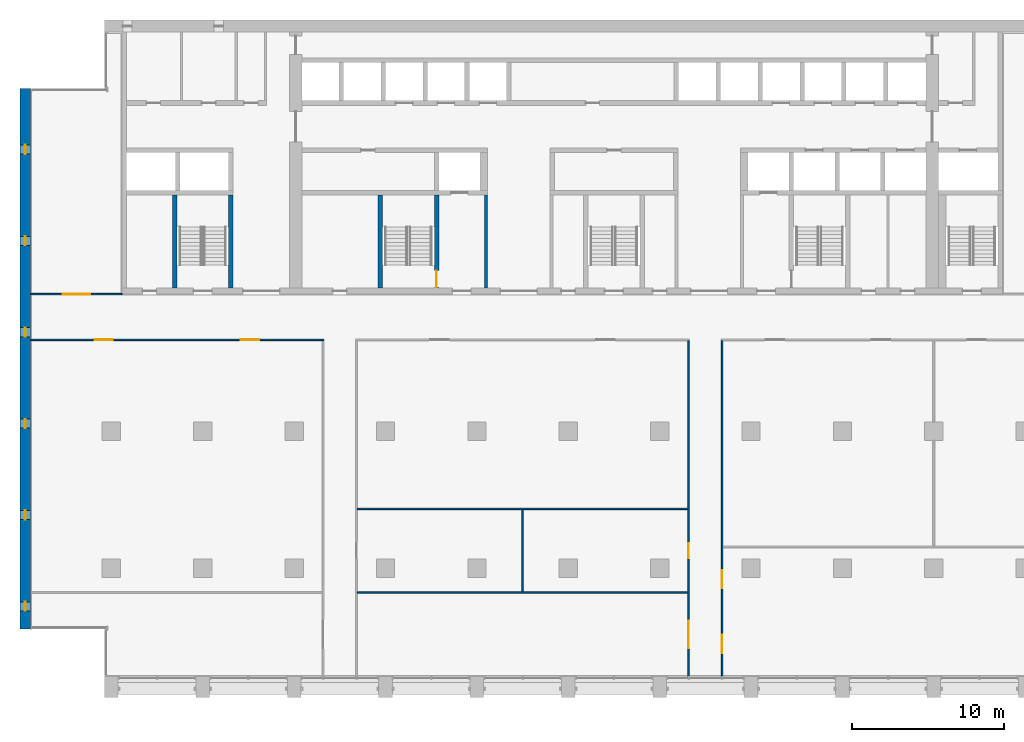
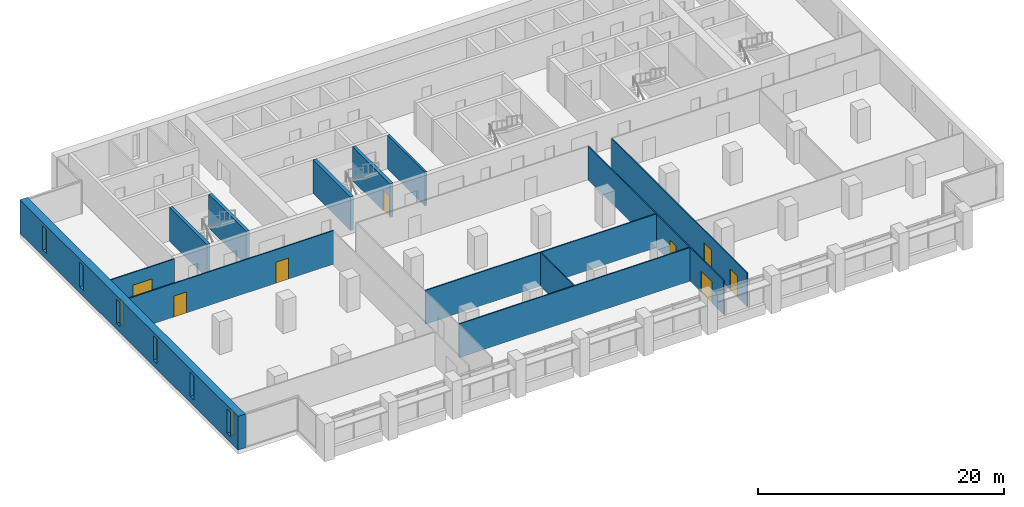
# One storey, part 8 of 15: 13 walls, 8 doors, 6 windows, 14 openings.
"""IFC4 building model written with IfcOpenShell, lengths in metres."""

from ifc_helpers import new_model, si_unit, direction, frame, frame_2d, origin, place, context, subcontext, project, spatial, rectangle, extrude, material, layer, layer_set, type_object, element, fill, save


model = new_model("IFC4")

# Units and contexts
model_context = context("Model", 3, precision=1e-05, world=origin(), true_north=direction((0.0, 1.0)))
body_context = subcontext(model_context, "Body", "Model", "MODEL_VIEW")
ifc_project = project(units=[si_unit("LENGTHUNIT", "METRE"), si_unit("AREAUNIT", "SQUARE_METRE"), si_unit("VOLUMEUNIT", "CUBIC_METRE"), si_unit("PLANEANGLEUNIT", "RADIAN"), si_unit("MASSUNIT", "GRAM", prefix="KILO")], contexts=[model_context])

# Site, building, storey
site_placement = place(None, origin())
site = spatial("IfcSite", under=ifc_project, at=site_placement, CompositionType="ELEMENT")
building_placement = place(site_placement, origin())
building = spatial("IfcBuilding", under=site, at=building_placement, Name="Calvaro Tower", CompositionType="ELEMENT")
storey_placement = place(building_placement, frame((0.0, 0.0, 147.5)))
storey = spatial("IfcBuildingStorey", under=building, at=storey_placement, Name="L37", CompositionType="ELEMENT", Elevation=147.5)

# Walls
ifc_material_1 = material(Name="Blockwork partition", Category="masonry")
ifc_layer_1 = layer(ifc_material_1, 0.199951171875)
ifc_layer_set_1 = layer_set([ifc_layer_1], Name="Blockwork partition")
wall_type_1 = type_object("IfcWallType", Name="Core partition 200 REI 120", PredefinedType="PARTITIONING", material=ifc_layer_set_1)
wall_1_placement = place(storey_placement, frame((30.60009765625, 28.39990234375, 0.0), z_axis=(0.0, 0.0, 1.0), x_axis=(0.0, 1.0, 0.0)))
element("IfcWall", 1, at=wall_1_placement, inside=storey, type_object=wall_type_1, Name="Core partition", PredefinedType="PARTITIONING", context=body_context, shape_type="SweptSolid", body=[
    extrude(rectangle(XDim=6.10009765625, YDim=0.199951171875, at=frame_2d((3.050048828125, 0.0))), origin(), (0.0, 0.0, 1.0), 3.35009765625),
])
ifc_material_2 = material(Name="Concrete C60/75", Category="concrete")
ifc_layer_2 = layer(ifc_material_2, 0.300048828125)
ifc_layer_set_2 = layer_set([ifc_layer_2], Name="Concrete C60/75")
wall_type_2 = type_object("IfcWallType", Name="Core wall C60/75 300", PredefinedType="SHEAR", material=ifc_layer_set_2)
for number, where, z_axis, x_axis, name in (
    (2, (10.14990234375, 28.39990234375, 0.0), (0.0, 0.0, 1.0), (0.0, 1.0, 0.0), "Core wall, stair enclosure"),
    (3, (13.85009765625, 28.39990234375, 0.0), (0.0, 0.0, 1.0), (0.0, 1.0, 0.0), "Core wall, stair enclosure"),
    (4, (23.64990234375, 28.39990234375, 0.0), (0.0, 0.0, 1.0), (0.0, 1.0, 0.0), "Core wall, stair enclosure"),
):
    element("IfcWall", number, at=place(storey_placement, frame(where, z_axis=z_axis, x_axis=x_axis)), inside=storey, type_object=wall_type_2, Name=name, PredefinedType="SHEAR", context=body_context, shape_type="SweptSolid", body=[
        extrude(rectangle(XDim=6.10009765625, YDim=0.300048828125, at=frame_2d((3.050048828125, 0.0))), origin(), (0.0, 0.0, 1.0), 3.35009765625),
    ])

# Wall, opening, door
wall_2_placement = place(storey_placement, frame((27.35009765625, 28.39990234375, 0.0), z_axis=(0.0, 0.0, 1.0), x_axis=(0.0, 1.0, 0.0)))
wall_2 = element("IfcWall", 5, at=wall_2_placement, inside=storey, type_object=wall_type_2, Name="Core wall, stair enclosure", PredefinedType="SHEAR", context=body_context, shape_type="SweptSolid", body=[
    extrude(rectangle(XDim=6.10009765625, YDim=0.300048828125, at=frame_2d((3.050048828125, 0.0))), origin(), (0.0, 0.0, 1.0), 3.35009765625),
])
opening_1_placement = place(wall_2_placement, frame((0.050048828125, 0.0, 0.0)))
opening_1 = element("IfcOpeningElement", 6, at=opening_1_placement, cuts=wall_2, Name="Opening FD11D", PredefinedType="OPENING", context=body_context, shape_type="SweptSolid", body=[
    extrude(rectangle(XDim=1.10009765625, YDim=2.10009765625, at=frame_2d((0.550048828125, 1.050048828125))), frame((0.0, 0.159912109375, 0.0), z_axis=(0.0, -1.0, 0.0), x_axis=(1.0, 0.0, 0.0)), (0.0, 0.0, 1.0), 0.320068359375),
])
ifc_material_3 = material(Name="Steel door set", Category="steel")
door_type_1 = type_object("IfcDoorType", Name="Fire door 1100 FD30S", OperationType="SINGLE_SWING_LEFT", PredefinedType="DOOR", material=ifc_material_3)
door_1_placement = place(opening_1_placement, origin())
door_1 = element("IfcDoor", 7, at=door_1_placement, inside=storey, type_object=door_type_1, Name="Fire door", OperationType="SINGLE_SWING_LEFT", OverallHeight=2.10009765625, OverallWidth=1.10009765625, PredefinedType="DOOR", context=body_context, shape_type="SweptSolid", body=[
    extrude(rectangle(XDim=1.10009765625, YDim=2.10009765625, at=frame_2d((0.550048828125, 1.050048828125))), frame((0.0, 0.02490234375, 0.0), z_axis=(0.0, -1.0, 0.0), x_axis=(1.0, 0.0, 0.0)), (0.0, 0.0, 1.0), 0.050048828125),
])
fill(opening_1, door_1)

# Wall, openings, windows
ifc_material_4 = material(Name="Concrete C60/75", Category="concrete")
ifc_layer_3 = layer(ifc_material_4, 0.699951171875)
ifc_layer_set_3 = layer_set([ifc_layer_3], Name="Concrete C60/75")
wall_type_3 = type_object("IfcWallType", Name="End wall 700 C60/75", PredefinedType="SHEAR", material=ifc_layer_set_3)
wall_3_placement = place(storey_placement, frame((0.35009765625, 6.0, 0.0), z_axis=(0.0, 0.0, 1.0), x_axis=(0.0, 1.0, 0.0)))
wall_3 = element("IfcWall", 8, at=wall_3_placement, inside=storey, type_object=wall_type_3, Name="End shear wall", PredefinedType="SHEAR", context=body_context, shape_type="SweptSolid", body=[
    extrude(rectangle(XDim=35.5, YDim=0.699951171875, at=frame_2d((17.75, 0.0))), origin(), (0.0, 0.0, 1.0), 3.35009765625),
])
opening_2_placement = place(wall_3_placement, frame((1.199951171875, 0.0, 0.60009765625)))
opening_2 = element("IfcOpeningElement", 9, at=opening_2_placement, cuts=wall_3, Name="Opening WW01", PredefinedType="OPENING", context=body_context, shape_type="SweptSolid", body=[
    extrude(rectangle(XDim=0.60009765625, YDim=2.39990234375, at=frame_2d((0.300048828125, 1.199951171875))), frame((0.0, 0.35986328125, 0.0), z_axis=(0.0, -1.0, 0.0), x_axis=(1.0, 0.0, 0.0)), (0.0, 0.0, 1.0), 0.719970703125),
])
opening_3_placement = place(wall_3_placement, frame((7.199951171875, 0.0, 0.60009765625)))
opening_3 = element("IfcOpeningElement", 10, at=opening_3_placement, cuts=wall_3, Name="Opening WW02", PredefinedType="OPENING", context=body_context, shape_type="SweptSolid", body=[
    extrude(rectangle(XDim=0.60009765625, YDim=2.39990234375, at=frame_2d((0.300048828125, 1.199951171875))), frame((0.0, 0.35986328125, 0.0), z_axis=(0.0, -1.0, 0.0), x_axis=(1.0, 0.0, 0.0)), (0.0, 0.0, 1.0), 0.719970703125),
])
opening_4_placement = place(wall_3_placement, frame((13.199951171875, 0.0, 0.60009765625)))
opening_4 = element("IfcOpeningElement", 11, at=opening_4_placement, cuts=wall_3, Name="Opening WW03", PredefinedType="OPENING", context=body_context, shape_type="SweptSolid", body=[
    extrude(rectangle(XDim=0.60009765625, YDim=2.39990234375, at=frame_2d((0.300048828125, 1.199951171875))), frame((0.0, 0.35986328125, 0.0), z_axis=(0.0, -1.0, 0.0), x_axis=(1.0, 0.0, 0.0)), (0.0, 0.0, 1.0), 0.719970703125),
])
opening_5_placement = place(wall_3_placement, frame((19.199951171875, 0.0, 0.60009765625)))
opening_5 = element("IfcOpeningElement", 12, at=opening_5_placement, cuts=wall_3, Name="Opening WW04", PredefinedType="OPENING", context=body_context, shape_type="SweptSolid", body=[
    extrude(rectangle(XDim=0.60009765625, YDim=2.39990234375, at=frame_2d((0.300048828125, 1.199951171875))), frame((0.0, 0.35986328125, 0.0), z_axis=(0.0, -1.0, 0.0), x_axis=(1.0, 0.0, 0.0)), (0.0, 0.0, 1.0), 0.719970703125),
])
opening_6_placement = place(wall_3_placement, frame((25.199951171875, 0.0, 0.60009765625)))
opening_6 = element("IfcOpeningElement", 13, at=opening_6_placement, cuts=wall_3, Name="Opening WW05", PredefinedType="OPENING", context=body_context, shape_type="SweptSolid", body=[
    extrude(rectangle(XDim=0.60009765625, YDim=2.39990234375, at=frame_2d((0.300048828125, 1.199951171875))), frame((0.0, 0.35986328125, 0.0), z_axis=(0.0, -1.0, 0.0), x_axis=(1.0, 0.0, 0.0)), (0.0, 0.0, 1.0), 0.719970703125),
])
opening_7_placement = place(wall_3_placement, frame((31.199951171875, 0.0, 0.60009765625)))
opening_7 = element("IfcOpeningElement", 14, at=opening_7_placement, cuts=wall_3, Name="Opening WW06", PredefinedType="OPENING", context=body_context, shape_type="SweptSolid", body=[
    extrude(rectangle(XDim=0.60009765625, YDim=2.39990234375, at=frame_2d((0.300048828125, 1.199951171875))), frame((0.0, 0.35986328125, 0.0), z_axis=(0.0, -1.0, 0.0), x_axis=(1.0, 0.0, 0.0)), (0.0, 0.0, 1.0), 0.719970703125),
])
ifc_material_5 = material(Name="Glass", Category="glass")
window_type = type_object("IfcWindowType", Name="Slit window 600 x 2400", PartitioningType="SINGLE_PANEL", PredefinedType="WINDOW", material=ifc_material_5)
window_1_placement = place(opening_2_placement, origin())
window_1 = element("IfcWindow", 15, at=window_1_placement, inside=storey, type_object=window_type, Name="Window WW01", OverallHeight=2.39990234375, OverallWidth=0.60009765625, PartitioningType="SINGLE_PANEL", PredefinedType="WINDOW", context=body_context, shape_type="SweptSolid", body=[
    extrude(rectangle(XDim=0.60009765625, YDim=2.39990234375, at=frame_2d((0.300048828125, 1.199951171875))), frame((0.0, 0.030029296875, 0.0), z_axis=(0.0, -1.0, 0.0), x_axis=(1.0, 0.0, 0.0)), (0.0, 0.0, 1.0), 0.06005859375),
])
fill(opening_2, window_1)
window_2_placement = place(opening_3_placement, origin())
window_2 = element("IfcWindow", 16, at=window_2_placement, inside=storey, type_object=window_type, Name="Window WW02", OverallHeight=2.39990234375, OverallWidth=0.60009765625, PartitioningType="SINGLE_PANEL", PredefinedType="WINDOW", context=body_context, shape_type="SweptSolid", body=[
    extrude(rectangle(XDim=0.60009765625, YDim=2.39990234375, at=frame_2d((0.300048828125, 1.199951171875))), frame((0.0, 0.030029296875, 0.0), z_axis=(0.0, -1.0, 0.0), x_axis=(1.0, 0.0, 0.0)), (0.0, 0.0, 1.0), 0.06005859375),
])
fill(opening_3, window_2)
window_3_placement = place(opening_4_placement, origin())
window_3 = element("IfcWindow", 17, at=window_3_placement, inside=storey, type_object=window_type, Name="Window WW03", OverallHeight=2.39990234375, OverallWidth=0.60009765625, PartitioningType="SINGLE_PANEL", PredefinedType="WINDOW", context=body_context, shape_type="SweptSolid", body=[
    extrude(rectangle(XDim=0.60009765625, YDim=2.39990234375, at=frame_2d((0.300048828125, 1.199951171875))), frame((0.0, 0.030029296875, 0.0), z_axis=(0.0, -1.0, 0.0), x_axis=(1.0, 0.0, 0.0)), (0.0, 0.0, 1.0), 0.06005859375),
])
fill(opening_4, window_3)
window_4_placement = place(opening_5_placement, origin())
window_4 = element("IfcWindow", 18, at=window_4_placement, inside=storey, type_object=window_type, Name="Window WW04", OverallHeight=2.39990234375, OverallWidth=0.60009765625, PartitioningType="SINGLE_PANEL", PredefinedType="WINDOW", context=body_context, shape_type="SweptSolid", body=[
    extrude(rectangle(XDim=0.60009765625, YDim=2.39990234375, at=frame_2d((0.300048828125, 1.199951171875))), frame((0.0, 0.030029296875, 0.0), z_axis=(0.0, -1.0, 0.0), x_axis=(1.0, 0.0, 0.0)), (0.0, 0.0, 1.0), 0.06005859375),
])
fill(opening_5, window_4)
window_5_placement = place(opening_6_placement, origin())
window_5 = element("IfcWindow", 19, at=window_5_placement, inside=storey, type_object=window_type, Name="Window WW05", OverallHeight=2.39990234375, OverallWidth=0.60009765625, PartitioningType="SINGLE_PANEL", PredefinedType="WINDOW", context=body_context, shape_type="SweptSolid", body=[
    extrude(rectangle(XDim=0.60009765625, YDim=2.39990234375, at=frame_2d((0.300048828125, 1.199951171875))), frame((0.0, 0.030029296875, 0.0), z_axis=(0.0, -1.0, 0.0), x_axis=(1.0, 0.0, 0.0)), (0.0, 0.0, 1.0), 0.06005859375),
])
fill(opening_6, window_5)
window_6_placement = place(opening_7_placement, origin())
window_6 = element("IfcWindow", 20, at=window_6_placement, inside=storey, type_object=window_type, Name="Window WW06", OverallHeight=2.39990234375, OverallWidth=0.60009765625, PartitioningType="SINGLE_PANEL", PredefinedType="WINDOW", context=body_context, shape_type="SweptSolid", body=[
    extrude(rectangle(XDim=0.60009765625, YDim=2.39990234375, at=frame_2d((0.300048828125, 1.199951171875))), frame((0.0, 0.030029296875, 0.0), z_axis=(0.0, -1.0, 0.0), x_axis=(1.0, 0.0, 0.0)), (0.0, 0.0, 1.0), 0.06005859375),
])
fill(opening_7, window_6)

# Walls
ifc_material_6 = material(Name="Plasterboard on steel studs", Category="steel")
ifc_layer_4 = layer(ifc_material_6, 0.10009765625)
ifc_layer_set_4 = layer_set([ifc_layer_4], Name="Plasterboard on steel studs")
wall_type_4 = type_object("IfcWallType", Name="Partition 100", PredefinedType="PARTITIONING", material=ifc_layer_set_4)
for number, where, z_axis, x_axis, name in (
    (21, (22.14990234375, 8.39990234375, 0.0), (0.0, 0.0, 1.0), (1.0, 0.0, 0.0), "Partition T22.W002"),
    (22, (22.14990234375, 13.89990234375, 0.0), (0.0, 0.0, 1.0), (1.0, 0.0, 0.0), "Partition T22.W004"),
):
    element("IfcWall", number, at=place(storey_placement, frame(where, z_axis=z_axis, x_axis=x_axis)), inside=storey, type_object=wall_type_4, Name=name, PredefinedType="PARTITIONING", context=body_context, shape_type="SweptSolid", body=[
        extrude(rectangle(XDim=21.7001953125, YDim=0.10009765625, at=frame_2d((10.85009765625, 0.0))), origin(), (0.0, 0.0, 1.0), 3.35009765625),
    ])

# Wall, openings, doors
wall_4_placement = place(storey_placement, frame((0.699951171875, 25.0, 0.0), z_axis=(0.0, 0.0, 1.0), x_axis=(1.0, 0.0, 0.0)))
wall_4 = element("IfcWall", 23, at=wall_4_placement, inside=storey, type_object=wall_type_4, Name="Partition T22.W005", PredefinedType="PARTITIONING", context=body_context, shape_type="SweptSolid", body=[
    extrude(rectangle(XDim=19.25, YDim=0.10009765625, at=frame_2d((9.625, 0.0))), origin(), (0.0, 0.0, 1.0), 3.35009765625),
])
opening_8_placement = place(wall_4_placement, frame((4.199951171875, 0.0, 0.0)))
opening_8 = element("IfcOpeningElement", 24, at=opening_8_placement, cuts=wall_4, Name="Opening T22.007", PredefinedType="OPENING", context=body_context, shape_type="SweptSolid", body=[
    extrude(rectangle(XDim=1.199951171875, YDim=2.10009765625, at=frame_2d((0.60009765625, 1.050048828125))), frame((0.0, 0.06005859375, 0.0), z_axis=(0.0, -1.0, 0.0), x_axis=(1.0, 0.0, 0.0)), (0.0, 0.0, 1.0), 0.1201171875),
])
opening_9_placement = place(wall_4_placement, frame((13.800048828125, 0.0, 0.0)))
opening_9 = element("IfcOpeningElement", 25, at=opening_9_placement, cuts=wall_4, Name="Opening T22.008", PredefinedType="OPENING", context=body_context, shape_type="SweptSolid", body=[
    extrude(rectangle(XDim=1.199951171875, YDim=2.10009765625, at=frame_2d((0.60009765625, 1.050048828125))), frame((0.0, 0.06005859375, 0.0), z_axis=(0.0, -1.0, 0.0), x_axis=(1.0, 0.0, 0.0)), (0.0, 0.0, 1.0), 0.1201171875),
])
ifc_material_7 = material(Name="Timber", Category="wood")
door_type_2 = type_object("IfcDoorType", Name="Internal single door 1200 x 2100", OperationType="SINGLE_SWING_LEFT", PredefinedType="DOOR", material=ifc_material_7)
door_2_placement = place(opening_8_placement, origin())
door_2 = element("IfcDoor", 26, at=door_2_placement, inside=storey, type_object=door_type_2, Name="Door T22.007", OperationType="SINGLE_SWING_LEFT", OverallHeight=2.10009765625, OverallWidth=1.199951171875, PredefinedType="DOOR", context=body_context, shape_type="SweptSolid", body=[
    extrude(rectangle(XDim=1.199951171875, YDim=2.10009765625, at=frame_2d((0.60009765625, 1.050048828125))), frame((0.0, 0.02490234375, 0.0), z_axis=(0.0, -1.0, 0.0), x_axis=(1.0, 0.0, 0.0)), (0.0, 0.0, 1.0), 0.050048828125),
])
fill(opening_8, door_2)
door_3_placement = place(opening_9_placement, origin())
door_3 = element("IfcDoor", 27, at=door_3_placement, inside=storey, type_object=door_type_2, Name="Door T22.008", OperationType="SINGLE_SWING_RIGHT", OverallHeight=2.10009765625, OverallWidth=1.199951171875, PredefinedType="DOOR", context=body_context, shape_type="SweptSolid", body=[
    extrude(rectangle(XDim=1.199951171875, YDim=2.10009765625, at=frame_2d((0.60009765625, 1.050048828125))), frame((0.0, 0.02490234375, 0.0), z_axis=(0.0, -1.0, 0.0), x_axis=(1.0, 0.0, 0.0)), (0.0, 0.0, 1.0), 0.050048828125),
])
fill(opening_9, door_3)

# Wall, opening, door
wall_5_placement = place(storey_placement, frame((0.699951171875, 28.0, 0.0), z_axis=(0.0, 0.0, 1.0), x_axis=(1.0, 0.0, 0.0)))
wall_5 = element("IfcWall", 28, at=wall_5_placement, inside=storey, type_object=wall_type_4, Name="Partition T22.W008", PredefinedType="PARTITIONING", context=body_context, shape_type="SweptSolid", body=[
    extrude(rectangle(XDim=6.0, YDim=0.10009765625, at=frame_2d((3.0, 0.0))), origin(), (0.0, 0.0, 1.0), 3.35009765625),
])
opening_10_placement = place(wall_5_placement, frame((2.10009765625, 0.0, 0.0)))
opening_10 = element("IfcOpeningElement", 29, at=opening_10_placement, cuts=wall_5, Name="Opening T22.015", PredefinedType="OPENING", context=body_context, shape_type="SweptSolid", body=[
    extrude(rectangle(XDim=1.800048828125, YDim=2.10009765625, at=frame_2d((0.89990234375, 1.050048828125))), frame((0.0, 0.06005859375, 0.0), z_axis=(0.0, -1.0, 0.0), x_axis=(1.0, 0.0, 0.0)), (0.0, 0.0, 1.0), 0.1201171875),
])
ifc_material_8 = material(Name="Timber", Category="wood")
door_type_3 = type_object("IfcDoorType", Name="Internal double door 1800 x 2100", OperationType="DOUBLE_DOOR_SINGLE_SWING", PredefinedType="DOOR", material=ifc_material_8)
door_4_placement = place(opening_10_placement, origin())
door_4 = element("IfcDoor", 30, at=door_4_placement, inside=storey, type_object=door_type_3, Name="Door T22.015", OperationType="DOUBLE_DOOR_SINGLE_SWING", OverallHeight=2.10009765625, OverallWidth=1.800048828125, PredefinedType="DOOR", context=body_context, shape_type="SweptSolid", body=[
    extrude(rectangle(XDim=1.800048828125, YDim=2.10009765625, at=frame_2d((0.89990234375, 1.050048828125))), frame((0.0, 0.02490234375, 0.0), z_axis=(0.0, -1.0, 0.0), x_axis=(1.0, 0.0, 0.0)), (0.0, 0.0, 1.0), 0.050048828125),
])
fill(opening_10, door_4)

# Wall
wall_6_placement = place(storey_placement, frame((33.0, 8.449951171875, 0.0), z_axis=(0.0, 0.0, 1.0), x_axis=(0.0, 1.0, 0.0)))
element("IfcWall", 31, at=wall_6_placement, inside=storey, type_object=wall_type_4, Name="Partition T22.W012", PredefinedType="PARTITIONING", context=body_context, shape_type="SweptSolid", body=[
    extrude(rectangle(XDim=5.400146484375, YDim=0.10009765625, at=frame_2d((2.7001953125, 0.0))), origin(), (0.0, 0.0, 1.0), 3.35009765625),
])

# Wall, openings, doors
wall_7_placement = place(storey_placement, frame((43.89990234375, 2.89990234375, 0.0), z_axis=(0.0, 0.0, 1.0), x_axis=(0.0, 1.0, 0.0)))
wall_7 = element("IfcWall", 32, at=wall_7_placement, inside=storey, type_object=wall_type_4, Name="Partition T22.W013", PredefinedType="PARTITIONING", context=body_context, shape_type="SweptSolid", body=[
    extrude(rectangle(XDim=22.050048828125, YDim=0.10009765625, at=frame_2d((11.02490234375, 0.0))), origin(), (0.0, 0.0, 1.0), 3.35009765625),
])
opening_11_placement = place(wall_7_placement, frame((1.85009765625, 0.0, 0.0)))
opening_11 = element("IfcOpeningElement", 33, at=opening_11_placement, cuts=wall_7, Name="Opening T22.001", PredefinedType="OPENING", context=body_context, shape_type="SweptSolid", body=[
    extrude(rectangle(XDim=1.800048828125, YDim=2.10009765625, at=frame_2d((0.89990234375, 1.050048828125))), frame((0.0, 0.06005859375, 0.0), z_axis=(0.0, -1.0, 0.0), x_axis=(1.0, 0.0, 0.0)), (0.0, 0.0, 1.0), 0.1201171875),
])
opening_12_placement = place(wall_7_placement, frame((7.75, 0.0, 0.0)))
opening_12 = element("IfcOpeningElement", 34, at=opening_12_placement, cuts=wall_7, Name="Opening T22.006", PredefinedType="OPENING", context=body_context, shape_type="SweptSolid", body=[
    extrude(rectangle(XDim=1.0, YDim=2.10009765625, at=frame_2d((0.5, 1.050048828125))), frame((0.0, 0.06005859375, 0.0), z_axis=(0.0, -1.0, 0.0), x_axis=(1.0, 0.0, 0.0)), (0.0, 0.0, 1.0), 0.1201171875),
])
door_5_placement = place(opening_11_placement, origin())
door_5 = element("IfcDoor", 35, at=door_5_placement, inside=storey, type_object=door_type_3, Name="Door T22.001", OperationType="DOUBLE_DOOR_SINGLE_SWING", OverallHeight=2.10009765625, OverallWidth=1.800048828125, PredefinedType="DOOR", context=body_context, shape_type="SweptSolid", body=[
    extrude(rectangle(XDim=1.800048828125, YDim=2.10009765625, at=frame_2d((0.89990234375, 1.050048828125))), frame((0.0, 0.02490234375, 0.0), z_axis=(0.0, -1.0, 0.0), x_axis=(1.0, 0.0, 0.0)), (0.0, 0.0, 1.0), 0.050048828125),
])
fill(opening_11, door_5)
ifc_material_9 = material(Name="Timber", Category="wood")
door_type_4 = type_object("IfcDoorType", Name="Internal single door 1000 x 2100", OperationType="SINGLE_SWING_LEFT", PredefinedType="DOOR", material=ifc_material_9)
door_6_placement = place(opening_12_placement, origin())
door_6 = element("IfcDoor", 36, at=door_6_placement, inside=storey, type_object=door_type_4, Name="Door T22.006", OperationType="SINGLE_SWING_LEFT", OverallHeight=2.10009765625, OverallWidth=1.0, PredefinedType="DOOR", context=body_context, shape_type="SweptSolid", body=[
    extrude(rectangle(XDim=1.0, YDim=2.10009765625, at=frame_2d((0.5, 1.050048828125))), frame((0.0, 0.02490234375, 0.0), z_axis=(0.0, -1.0, 0.0), x_axis=(1.0, 0.0, 0.0)), (0.0, 0.0, 1.0), 0.050048828125),
])
fill(opening_12, door_6)

wall_8_placement = place(storey_placement, frame((46.10009765625, 2.89990234375, 0.0), z_axis=(0.0, 0.0, 1.0), x_axis=(0.0, 1.0, 0.0)))
wall_8 = element("IfcWall", 37, at=wall_8_placement, inside=storey, type_object=wall_type_4, Name="Partition T22.W014", PredefinedType="PARTITIONING", context=body_context, shape_type="SweptSolid", body=[
    extrude(rectangle(XDim=22.050048828125, YDim=0.10009765625, at=frame_2d((11.02490234375, 0.0))), origin(), (0.0, 0.0, 1.0), 3.35009765625),
])
opening_13_placement = place(wall_8_placement, frame((1.52490234375, 0.0, 0.0)))
opening_13 = element("IfcOpeningElement", 38, at=opening_13_placement, cuts=wall_8, Name="Opening T22.003", PredefinedType="OPENING", context=body_context, shape_type="SweptSolid", body=[
    extrude(rectangle(XDim=1.199951171875, YDim=2.10009765625, at=frame_2d((0.60009765625, 1.050048828125))), frame((0.0, 0.06005859375, 0.0), z_axis=(0.0, -1.0, 0.0), x_axis=(1.0, 0.0, 0.0)), (0.0, 0.0, 1.0), 0.1201171875),
])
opening_14_placement = place(wall_8_placement, frame((5.77490234375, 0.0, 0.0)))
opening_14 = element("IfcOpeningElement", 39, at=opening_14_placement, cuts=wall_8, Name="Opening T22.004", PredefinedType="OPENING", context=body_context, shape_type="SweptSolid", body=[
    extrude(rectangle(XDim=1.199951171875, YDim=2.10009765625, at=frame_2d((0.60009765625, 1.050048828125))), frame((0.0, 0.06005859375, 0.0), z_axis=(0.0, -1.0, 0.0), x_axis=(1.0, 0.0, 0.0)), (0.0, 0.0, 1.0), 0.1201171875),
])
door_7_placement = place(opening_13_placement, origin())
door_7 = element("IfcDoor", 40, at=door_7_placement, inside=storey, type_object=door_type_2, Name="Door T22.003", OperationType="SINGLE_SWING_LEFT", OverallHeight=2.10009765625, OverallWidth=1.199951171875, PredefinedType="DOOR", context=body_context, shape_type="SweptSolid", body=[
    extrude(rectangle(XDim=1.199951171875, YDim=2.10009765625, at=frame_2d((0.60009765625, 1.050048828125))), frame((0.0, 0.02490234375, 0.0), z_axis=(0.0, -1.0, 0.0), x_axis=(1.0, 0.0, 0.0)), (0.0, 0.0, 1.0), 0.050048828125),
])
fill(opening_13, door_7)
door_8_placement = place(opening_14_placement, origin())
door_8 = element("IfcDoor", 41, at=door_8_placement, inside=storey, type_object=door_type_2, Name="Door T22.004", OperationType="SINGLE_SWING_LEFT", OverallHeight=2.10009765625, OverallWidth=1.199951171875, PredefinedType="DOOR", context=body_context, shape_type="SweptSolid", body=[
    extrude(rectangle(XDim=1.199951171875, YDim=2.10009765625, at=frame_2d((0.60009765625, 1.050048828125))), frame((0.0, 0.02490234375, 0.0), z_axis=(0.0, -1.0, 0.0), x_axis=(1.0, 0.0, 0.0)), (0.0, 0.0, 1.0), 0.050048828125),
])
fill(opening_14, door_8)

save(model, "model.ifc")
